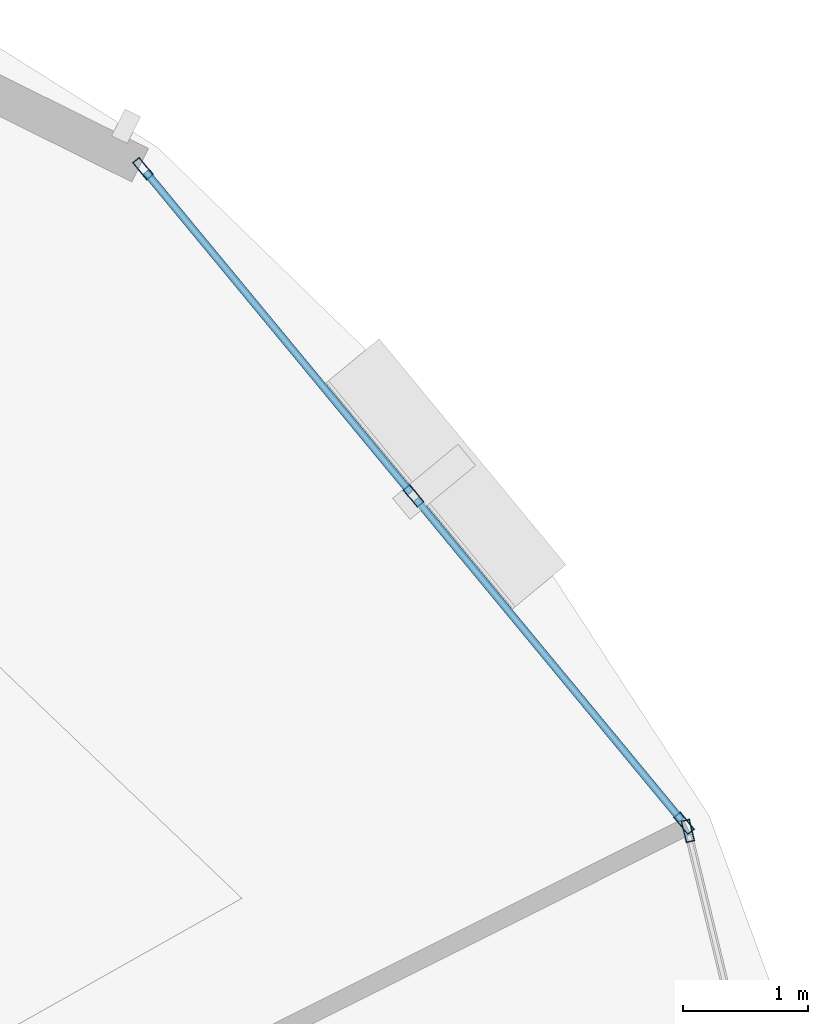
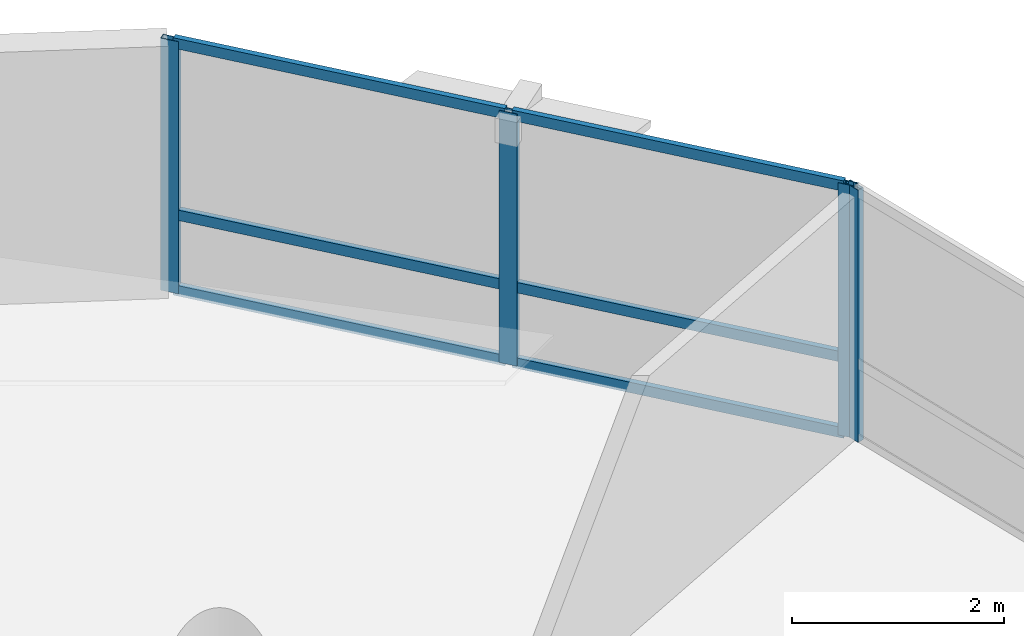
# One storey, part 8 of 14: 10 members, 2 elements without a shape of their own.
"""IFC4 building model written with IfcOpenShell, lengths in metres."""

from ifc_helpers import new_model, si_unit, direction, frame, origin, origin_2d, place, context, subcontext, project, spatial, hollow_rectangle, extrude, material, layer, layer_set, material_profile, profile_set, type_object, element, aggregate, save


model = new_model("IFC4")

# Units and contexts
model_context = context("Model", 3, precision=1e-05, world=origin(), true_north=direction((0.0, 1.0)))
body_context = subcontext(model_context, "Body", "Model", "MODEL_VIEW")
ifc_project = project(units=[si_unit("LENGTHUNIT", "METRE"), si_unit("AREAUNIT", "SQUARE_METRE"), si_unit("VOLUMEUNIT", "CUBIC_METRE"), si_unit("PLANEANGLEUNIT", "RADIAN"), si_unit("MASSUNIT", "GRAM", prefix="KILO"), si_unit("THERMODYNAMICTEMPERATUREUNIT", "KELVIN"), si_unit("POWERUNIT", "WATT")], contexts=[model_context])

# Site, building, storey
site_placement = place(None, origin())
site = spatial("IfcSite", under=ifc_project, at=site_placement, CompositionType="ELEMENT")
building_placement = place(site_placement, origin())
building = spatial("IfcBuilding", under=site, at=building_placement, Name="Ocrelia Relay Tower", CompositionType="ELEMENT")
storey_placement = place(building_placement, frame((0.0, 0.0, 145.800048828125)))
storey = spatial("IfcBuildingStorey", under=building, at=storey_placement, Name="L34", CompositionType="ELEMENT", Elevation=145.800048828125)

# Curtain wall, members
ifc_material_1 = material(Name="Aluminium and solar-control low-E glass", Category="aluminium")
ifc_layer = layer(ifc_material_1, 0.179931640625, Name="Aluminium and solar-control low-E glass")
ifc_layer_set = layer_set([ifc_layer], Name="Aluminium and solar-control low-E glass")
curtain_wall_type = type_object("IfcCurtainWallType", Name="CW-SYS-Z2-SWIT", PredefinedType="NOTDEFINED", material=ifc_layer_set)
curtain_wall_1_placement = place(storey_placement, origin())
curtain_wall_1 = element("IfcCurtainWall", 1, at=curtain_wall_1_placement, inside=storey, type_object=curtain_wall_type, Name="L34 Elliptical Tower Curtain Wall Bay 01", PredefinedType="NOTDEFINED")
ifc_material_2 = material(Name="Anodised bronze aluminium", Category="aluminium")
ifc_material_profile_1 = material_profile(ifc_material_2, hollow_rectangle(XDim=0.070068359375, YDim=0.179931640625, WallThickness=0.006103515625, at=origin_2d()), Name="CW-MUL-180x70")
ifc_profile_set_1 = profile_set([ifc_material_profile_1], Name="Anodised bronze aluminium")
member_type_1 = type_object("IfcMemberType", Name="CW-SYS-Z2-SWIT-MUL", PredefinedType="MULLION", material=ifc_profile_set_1)
member_1_placement = place(storey_placement, frame((56.867919921875, 37.489501953125, 0.0), z_axis=(0.0, 0.0, 1.0), x_axis=(-0.77085995118, -0.637004659062, 0.0)))
member_1 = element("IfcMember", 2, at=member_1_placement, type_object=member_type_1, Name="CW-Z2 mullion 1", PredefinedType="MULLION", context=body_context, shape_type="SweptSolid", body=[
    extrude(hollow_rectangle(XDim=0.070068359375, YDim=0.179931640625, WallThickness=0.006103515625, at=origin_2d()), origin(), (0.0, 0.0, 1.0), 2.89990234375),
])
member_2_placement = place(storey_placement, frame((54.69921875, 40.114013671875, 0.0), z_axis=(0.0, 0.0, 1.0), x_axis=(-0.77085995118, -0.637004659062, 0.0)))
member_2 = element("IfcMember", 3, at=member_2_placement, type_object=member_type_1, Name="CW-Z2 mullion 2", PredefinedType="MULLION", context=body_context, shape_type="SweptSolid", body=[
    extrude(hollow_rectangle(XDim=0.070068359375, YDim=0.179931640625, WallThickness=0.006103515625, at=origin_2d()), origin(), (0.0, 0.0, 1.0), 2.89990234375),
])
member_3_placement = place(storey_placement, frame((52.530517578125, 42.738525390625, 0.0), z_axis=(0.0, 0.0, 1.0), x_axis=(-0.77085995118, -0.637004659062, 0.0)))
member_3 = element("IfcMember", 4, at=member_3_placement, type_object=member_type_1, Name="CW-Z2 mullion 3", PredefinedType="MULLION", context=body_context, shape_type="SweptSolid", body=[
    extrude(hollow_rectangle(XDim=0.070068359375, YDim=0.179931640625, WallThickness=0.006103515625, at=origin_2d()), origin(), (0.0, 0.0, 1.0), 2.89990234375),
])

# Curtain wall, member
curtain_wall_2_placement = place(storey_placement, origin())
curtain_wall_2 = element("IfcCurtainWall", 5, at=curtain_wall_2_placement, inside=storey, type_object=curtain_wall_type, Name="L34 Elliptical Tower Curtain Wall Bay 18", PredefinedType="NOTDEFINED")
member_4_placement = place(storey_placement, frame((56.8984375, 37.428466796875, 0.0), z_axis=(0.0, 0.0, 1.0), x_axis=(-0.97183275464, -0.235671587189, 0.0)))
member_4 = element("IfcMember", 6, at=member_4_placement, type_object=member_type_1, Name="CW-Z2 mullion 3", PredefinedType="MULLION", context=body_context, shape_type="SweptSolid", body=[
    extrude(hollow_rectangle(XDim=0.070068359375, YDim=0.179931640625, WallThickness=0.006103515625, at=origin_2d()), origin(), (0.0, 0.0, 1.0), 2.89990234375),
])
aggregate(curtain_wall_2, [member_4])

# Member
ifc_material_profile_2 = material_profile(ifc_material_2, hollow_rectangle(XDim=0.06005859375, YDim=0.1201171875, WallThickness=0.0048828125, at=origin_2d()), Name="CW-TRN-120x60")
ifc_profile_set_2 = profile_set([ifc_material_profile_2], Name="Anodised bronze aluminium")
member_type_2 = type_object("IfcMemberType", Name="CW-SYS-Z2-SWIT-TRN", PredefinedType="USERDEFINED", material=ifc_profile_set_2)
member_5_placement = place(storey_placement, frame((56.845703125, 37.5166015625, 0.030029296875), z_axis=(-0.637010107093, 0.770855449135, 0.0), x_axis=(-0.770855449135, -0.637010107093, 0.0)))
member_5 = element("IfcMember", 7, at=member_5_placement, type_object=member_type_2, Name="CW-Z2 transom 1.1", ObjectType="TRANSOM", PredefinedType="USERDEFINED", context=body_context, shape_type="SweptSolid", body=[
    extrude(hollow_rectangle(XDim=0.06005859375, YDim=0.1201171875, WallThickness=0.0048828125, at=origin_2d()), origin(), (0.0, 0.0, 1.0), 3.33447265625),
])

member_6_placement = place(storey_placement, frame((56.845703125, 37.5166015625, 0.89990234375), z_axis=(-0.637010107093, 0.770855449135, 0.0), x_axis=(-0.770855449135, -0.637010107093, 0.0)))
member_6 = element("IfcMember", 8, at=member_6_placement, type_object=member_type_2, Name="CW-Z2 transom 1.2", ObjectType="TRANSOM", PredefinedType="USERDEFINED", context=body_context, shape_type="SweptSolid", body=[
    extrude(hollow_rectangle(XDim=0.06005859375, YDim=0.1201171875, WallThickness=0.0048828125, at=origin_2d()), origin(), (0.0, 0.0, 1.0), 3.33447265625),
])

member_7_placement = place(storey_placement, frame((56.845703125, 37.5166015625, 2.869873046875), z_axis=(-0.637010107093, 0.770855449135, 0.0), x_axis=(-0.770855449135, -0.637010107093, 0.0)))
member_7 = element("IfcMember", 9, at=member_7_placement, type_object=member_type_2, Name="CW-Z2 transom 1.3", ObjectType="TRANSOM", PredefinedType="USERDEFINED", context=body_context, shape_type="SweptSolid", body=[
    extrude(hollow_rectangle(XDim=0.06005859375, YDim=0.1201171875, WallThickness=0.0048828125, at=origin_2d()), origin(), (0.0, 0.0, 1.0), 3.33447265625),
])

member_8_placement = place(storey_placement, frame((54.677001953125, 40.140869140625, 0.030029296875), z_axis=(-0.636974154502, 0.770885157787, 0.0), x_axis=(-0.770885157787, -0.636974154502, 0.0)))
member_8 = element("IfcMember", 10, at=member_8_placement, type_object=member_type_2, Name="CW-Z2 transom 2.1", ObjectType="TRANSOM", PredefinedType="USERDEFINED", context=body_context, shape_type="SweptSolid", body=[
    extrude(hollow_rectangle(XDim=0.06005859375, YDim=0.1201171875, WallThickness=0.0048828125, at=origin_2d()), origin(), (0.0, 0.0, 1.0), 3.33447265625),
])

member_9_placement = place(storey_placement, frame((54.677001953125, 40.140869140625, 0.89990234375), z_axis=(-0.636974154502, 0.770885157787, 0.0), x_axis=(-0.770885157787, -0.636974154502, 0.0)))
member_9 = element("IfcMember", 11, at=member_9_placement, type_object=member_type_2, Name="CW-Z2 transom 2.2", ObjectType="TRANSOM", PredefinedType="USERDEFINED", context=body_context, shape_type="SweptSolid", body=[
    extrude(hollow_rectangle(XDim=0.06005859375, YDim=0.1201171875, WallThickness=0.0048828125, at=origin_2d()), origin(), (0.0, 0.0, 1.0), 3.33447265625),
])

member_10_placement = place(storey_placement, frame((54.677001953125, 40.140869140625, 2.869873046875), z_axis=(-0.636974154502, 0.770885157787, 0.0), x_axis=(-0.770885157787, -0.636974154502, 0.0)))
member_10 = element("IfcMember", 12, at=member_10_placement, type_object=member_type_2, Name="CW-Z2 transom 2.3", ObjectType="TRANSOM", PredefinedType="USERDEFINED", context=body_context, shape_type="SweptSolid", body=[
    extrude(hollow_rectangle(XDim=0.06005859375, YDim=0.1201171875, WallThickness=0.0048828125, at=origin_2d()), origin(), (0.0, 0.0, 1.0), 3.33447265625),
])

aggregate(curtain_wall_1, [member_1, member_2, member_3, member_5, member_6, member_7, member_8, member_9, member_10])

save(model, "model.ifc")
